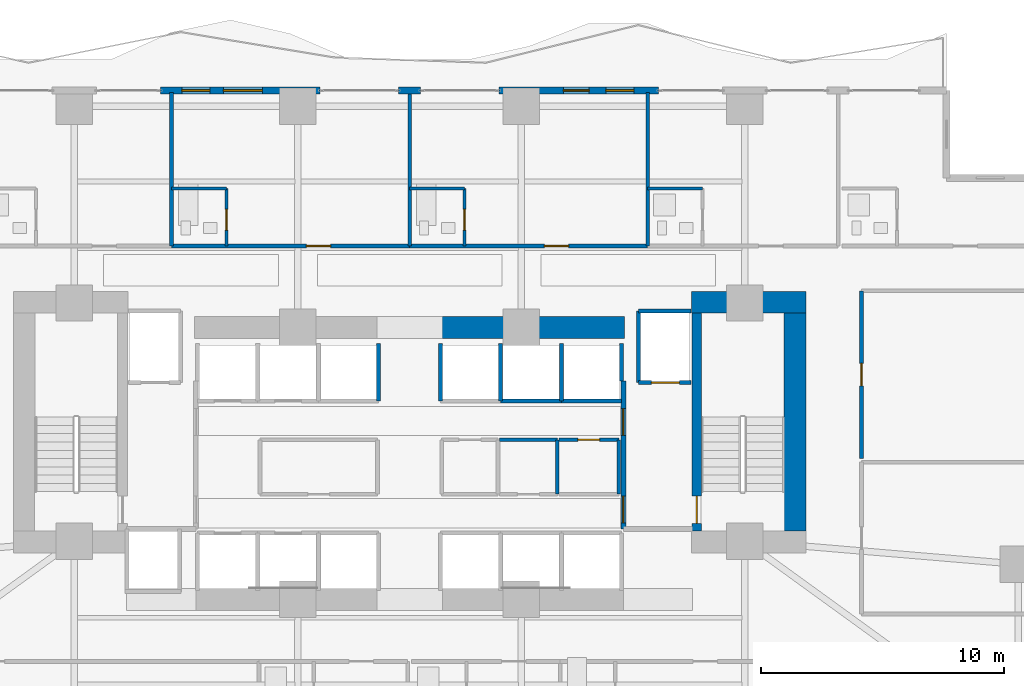
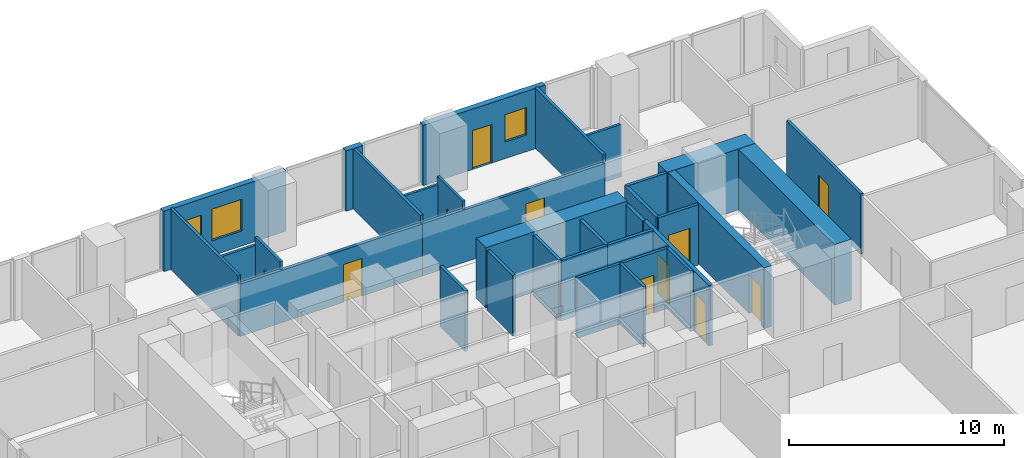
# One storey, part 22 of 30: 33 walls, 11 doors, 3 windows, 14 openings.
"""IFC4 building model written with IfcOpenShell, lengths in metres."""

from ifc_helpers import new_model, si_unit, direction, frame, frame_2d, origin, place, context, subcontext, project, spatial, rectangle, extrude, material, layer, layer_set, type_object, element, fill, save


model = new_model("IFC4")

# Units and contexts
model_context = context("Model", 3, precision=1e-05, world=origin(), true_north=direction((0.0, 1.0)))
body_context = subcontext(model_context, "Body", "Model", "MODEL_VIEW")
ifc_project = project(units=[si_unit("LENGTHUNIT", "METRE"), si_unit("AREAUNIT", "SQUARE_METRE"), si_unit("VOLUMEUNIT", "CUBIC_METRE"), si_unit("PLANEANGLEUNIT", "RADIAN"), si_unit("MASSUNIT", "GRAM", prefix="KILO")], contexts=[model_context])

# Site, building, storey
site_placement = place(None, origin())
site = spatial("IfcSite", under=ifc_project, at=site_placement, CompositionType="ELEMENT")
building_placement = place(site_placement, origin())
building = spatial("IfcBuilding", under=site, at=building_placement, Name="Zuhayl Quay Hotel", CompositionType="ELEMENT")
storey_placement = place(building_placement, frame((0.0, 0.0, 82.35009765625)))
storey = spatial("IfcBuildingStorey", under=building, at=storey_placement, Name="L20", CompositionType="ELEMENT", Elevation=82.35009765625)

# Walls
ifc_material_1 = material(Name="Concrete C70/85", Category="concrete")
ifc_layer_1 = layer(ifc_material_1, 0.89990234375, Name="Concrete C70/85", Category="concrete")
ifc_layer_set_1 = layer_set([ifc_layer_1], Name="Concrete C70/85")
wall_type_1 = type_object("IfcWallType", Name="WL_CORE_900", PredefinedType="SHEAR", material=ifc_layer_set_1)
wall_1_placement = place(storey_placement, frame((11.60009765625, 14.3798828125, 0.0), z_axis=(0.0, 0.0, 1.0), x_axis=(1.0, 0.0, 0.0)))
element("IfcWall", 1, at=wall_1_placement, inside=storey, type_object=wall_type_1, Name="L20 Core Shear Wall CW_NE", PredefinedType="SHEAR", context=body_context, shape_type="SweptSolid", body=[
    extrude(rectangle(XDim=4.7099609375, YDim=0.89990234375, at=frame_2d((2.35498046875, 0.0))), origin(), (0.0, 0.0, 1.0), 3.4599609375),
])
wall_2_placement = place(storey_placement, frame((15.860107421875, 4.969970703125, 0.0), z_axis=(0.0, 0.0, 1.0), x_axis=(0.0, 1.0, 0.0)))
element("IfcWall", 2, at=wall_2_placement, inside=storey, type_object=wall_type_1, Name="L20 Core Shear Wall CW_E", PredefinedType="SHEAR", context=body_context, shape_type="SweptSolid", body=[
    extrude(rectangle(XDim=8.9599609375, YDim=0.89990234375, at=frame_2d((4.47998046875, 0.0))), origin(), (0.0, 0.0, 1.0), 3.4599609375),
])
wall_3_placement = place(storey_placement, frame((1.25, 13.35009765625, 0.0), z_axis=(0.0, 0.0, 1.0), x_axis=(1.0, 0.0, 0.0)))
element("IfcWall", 3, at=wall_3_placement, inside=storey, type_object=wall_type_1, Name="L20 Core Shear Wall CW_NC_E", PredefinedType="SHEAR", context=body_context, shape_type="SweptSolid", body=[
    extrude(rectangle(XDim=7.60009765625, YDim=0.89990234375, at=frame_2d((3.800048828125, 0.0))), origin(), (0.0, 0.0, 1.0), 3.429931640625),
])

# Wall, openings, windows
ifc_material_2 = material(Name="Precast concrete C45/55", Category="concrete")
ifc_layer_2 = layer(ifc_material_2, 0.300048828125, Name="Precast concrete C45/55", Category="concrete")
ifc_layer_set_2 = layer_set([ifc_layer_2], Name="Precast concrete C45/55")
wall_type_2 = type_object("IfcWallType", Name="WL_EXT_300", PredefinedType="STANDARD", material=ifc_layer_set_2)
wall_4_placement = place(storey_placement, frame((-10.25, 23.10009765625, 0.0), z_axis=(0.0, 0.0, 1.0), x_axis=(1.0, 0.0, 0.0)))
wall_4 = element("IfcWall", 4, at=wall_4_placement, inside=storey, type_object=wall_type_2, Name="L20 Exterior Precast Wall ENV_L20_N_EW4", PredefinedType="STANDARD", context=body_context, shape_type="SweptSolid", body=[
    extrude(rectangle(XDim=6.570068359375, YDim=0.300048828125, at=frame_2d((3.28515625, 0.0))), origin(), (0.0, 0.0, 1.0), 3.429931640625),
])
opening_1_placement = place(wall_4_placement, frame((2.590087890625, 0.0, 0.85009765625)))
opening_1 = element("IfcOpeningElement", 5, at=opening_1_placement, cuts=wall_4, Name="Opening W01", PredefinedType="OPENING", context=body_context, shape_type="SweptSolid", body=[
    extrude(rectangle(XDim=1.60009765625, YDim=1.800048828125, at=frame_2d((0.800048828125, 0.89990234375))), frame((0.0, 0.159912109375, 0.0), z_axis=(0.0, -1.0, 0.0), x_axis=(1.0, 0.0, 0.0)), (0.0, 0.0, 1.0), 0.320068359375),
])
opening_2_placement = place(wall_4_placement, frame((0.8798828125, 0.0, 0.949951171875)))
opening_2 = element("IfcOpeningElement", 6, at=opening_2_placement, cuts=wall_4, Name="Opening W01N", PredefinedType="OPENING", context=body_context, shape_type="SweptSolid", body=[
    extrude(rectangle(XDim=1.14990234375, YDim=1.550048828125, at=frame_2d((0.574951171875, 0.77490234375))), frame((0.0, 0.159912109375, 0.0), z_axis=(0.0, -1.0, 0.0), x_axis=(1.0, 0.0, 0.0)), (0.0, 0.0, 1.0), 0.320068359375),
])
ifc_material_3 = material(Name="Dark Ceramic-Fritted Solar Glass", Category="glass")
window_type_1 = type_object("IfcWindowType", Name="WN_NOTCH_1350", PartitioningType="SINGLE_PANEL", PredefinedType="WINDOW", material=ifc_material_3)
window_1_placement = place(opening_2_placement, origin())
window_1 = element("IfcWindow", 7, at=window_1_placement, inside=storey, type_object=window_type_1, Name="L20 Operable Facade Window 4-1", OverallHeight=1.550048828125, OverallWidth=1.14990234375, PartitioningType="SINGLE_PANEL", PredefinedType="WINDOW", context=body_context, shape_type="SweptSolid", body=[
    extrude(rectangle(XDim=1.14990234375, YDim=1.550048828125, at=frame_2d((0.574951171875, 0.77490234375))), frame((0.0, 0.030029296875, 0.0), z_axis=(0.0, -1.0, 0.0), x_axis=(1.0, 0.0, 0.0)), (0.0, 0.0, 1.0), 0.06005859375),
])
fill(opening_2, window_1)
window_type_2 = type_object("IfcWindowType", Name="WN_OPERABLE_1600", PartitioningType="DOUBLE_PANEL_VERTICAL", PredefinedType="WINDOW", material=ifc_material_3)
window_2_placement = place(opening_1_placement, origin())
window_2 = element("IfcWindow", 8, at=window_2_placement, inside=storey, type_object=window_type_2, Name="L20 North Operable Casement Window", OverallHeight=1.800048828125, OverallWidth=1.60009765625, PartitioningType="SINGLE_PANEL", PredefinedType="WINDOW", context=body_context, shape_type="SweptSolid", body=[
    extrude(rectangle(XDim=1.60009765625, YDim=1.800048828125, at=frame_2d((0.800048828125, 0.89990234375))), frame((0.0, 0.030029296875, 0.0), z_axis=(0.0, -1.0, 0.0), x_axis=(1.0, 0.0, 0.0)), (0.0, 0.0, 1.0), 0.06005859375),
])
fill(opening_1, window_2)

# Wall
wall_5_placement = place(storey_placement, frame((-0.449951171875, 23.10009765625, 0.0), z_axis=(0.0, 0.0, 1.0), x_axis=(1.0, 0.0, 0.0)))
element("IfcWall", 9, at=wall_5_placement, inside=storey, type_object=wall_type_2, Name="L20 Exterior Precast Wall ENV_L20_N_EW5", PredefinedType="STANDARD", context=body_context, shape_type="SweptSolid", body=[
    extrude(rectangle(XDim=0.89990234375, YDim=0.300048828125, at=frame_2d((0.449951171875, 0.0))), origin(), (0.0, 0.0, 1.0), 3.429931640625),
])

# Wall, openings, door, window
wall_6_placement = place(storey_placement, frame((3.679931640625, 23.10009765625, 0.0), z_axis=(0.0, 0.0, 1.0), x_axis=(1.0, 0.0, 0.0)))
wall_6 = element("IfcWall", 10, at=wall_6_placement, inside=storey, type_object=wall_type_2, Name="L20 Exterior Precast Wall ENV_L20_N_EW6", PredefinedType="STANDARD", context=body_context, shape_type="SweptSolid", body=[
    extrude(rectangle(XDim=6.570068359375, YDim=0.300048828125, at=frame_2d((3.28515625, 0.0))), origin(), (0.0, 0.0, 1.0), 3.429931640625),
])
opening_3_placement = place(wall_6_placement, frame((2.655029296875, 0.0, 0.0)))
opening_3 = element("IfcOpeningElement", 11, at=opening_3_placement, cuts=wall_6, Name="Opening DG1", PredefinedType="OPENING", context=body_context, shape_type="SweptSolid", body=[
    extrude(rectangle(XDim=1.050048828125, YDim=2.199951171875, at=frame_2d((0.52490234375, 1.10009765625))), frame((0.0, 0.159912109375, 0.0), z_axis=(0.0, -1.0, 0.0), x_axis=(1.0, 0.0, 0.0)), (0.0, 0.0, 1.0), 0.320068359375),
])
opening_4_placement = place(wall_6_placement, frame((4.402587890625, 0.0, 0.949951171875)))
opening_4 = element("IfcOpeningElement", 12, at=opening_4_placement, cuts=wall_6, Name="Opening W01N", PredefinedType="OPENING", context=body_context, shape_type="SweptSolid", body=[
    extrude(rectangle(XDim=1.14990234375, YDim=1.550048828125, at=frame_2d((0.574951171875, 0.77490234375))), frame((0.0, 0.159912109375, 0.0), z_axis=(0.0, -1.0, 0.0), x_axis=(1.0, 0.0, 0.0)), (0.0, 0.0, 1.0), 0.320068359375),
])
ifc_material_4 = material(Name="Anodised Aluminium and Dark Solar Glass", Category="aluminium")
door_type_1 = type_object("IfcDoorType", Name="DR_EXT_TERR_1050", OperationType="NOTDEFINED", PredefinedType="DOOR", material=ifc_material_4)
door_1_placement = place(opening_3_placement, origin())
door_1 = element("IfcDoor", 13, at=door_1_placement, inside=storey, type_object=door_type_1, Name="L20 North Rippling Balcony Door", OperationType="SINGLE_SWING_LEFT", OverallHeight=2.199951171875, OverallWidth=1.050048828125, PredefinedType="DOOR", context=body_context, shape_type="SweptSolid", body=[
    extrude(rectangle(XDim=1.050048828125, YDim=2.199951171875, at=frame_2d((0.52490234375, 1.10009765625))), frame((0.0, 0.02490234375, 0.0), z_axis=(0.0, -1.0, 0.0), x_axis=(1.0, 0.0, 0.0)), (0.0, 0.0, 1.0), 0.050048828125),
])
fill(opening_3, door_1)
window_3_placement = place(opening_4_placement, origin())
window_3 = element("IfcWindow", 14, at=window_3_placement, inside=storey, type_object=window_type_1, Name="L20 Operable Facade Window 6-1", OverallHeight=1.550048828125, OverallWidth=1.14990234375, PartitioningType="SINGLE_PANEL", PredefinedType="WINDOW", context=body_context, shape_type="SweptSolid", body=[
    extrude(rectangle(XDim=1.14990234375, YDim=1.550048828125, at=frame_2d((0.574951171875, 0.77490234375))), frame((0.0, 0.030029296875, 0.0), z_axis=(0.0, -1.0, 0.0), x_axis=(1.0, 0.0, 0.0)), (0.0, 0.0, 1.0), 0.06005859375),
])
fill(opening_4, window_3)

# Wall, opening, door
ifc_material_5 = material(Name="Acoustic Gypsum Partition STC-58")
ifc_layer_3 = layer(ifc_material_5, 0.14990234375, Name="Acoustic Gypsum Partition STC-58")
ifc_layer_set_3 = layer_set([ifc_layer_3], Name="Acoustic Gypsum Partition STC-58")
wall_type_3 = type_object("IfcWallType", Name="WL_PART_150", PredefinedType="PARTITIONING", material=ifc_layer_set_3)
wall_7_placement = place(storey_placement, frame((6.139892578125, 8.719970703125, 0.0), z_axis=(0.0, 0.0, 1.0), x_axis=(1.0, 0.0, 0.0)))
wall_7 = element("IfcWall", 15, at=wall_7_placement, inside=storey, type_object=wall_type_3, Name="L20 Partition IW_L20_CORE_E3_N", PredefinedType="PARTITIONING", context=body_context, shape_type="SweptSolid", body=[
    extrude(rectangle(XDim=2.47021484375, YDim=0.14990234375, at=frame_2d((1.235107421875, 0.0))), origin(), (0.0, 0.0, 1.0), 3.429931640625),
])
opening_5_placement = place(wall_7_placement, frame((0.784912109375, 0.0, 0.0)))
opening_5 = element("IfcOpeningElement", 16, at=opening_5_placement, cuts=wall_7, Name="Opening D06", PredefinedType="OPENING", context=body_context, shape_type="SweptSolid", body=[
    extrude(rectangle(XDim=0.89990234375, YDim=2.14990234375, at=frame_2d((0.449951171875, 1.074951171875))), frame((0.0, 0.0849609375, 0.0), z_axis=(0.0, -1.0, 0.0), x_axis=(1.0, 0.0, 0.0)), (0.0, 0.0, 1.0), 0.169921875),
])
ifc_material_6 = material(Name="Steel ASTM A992 Grade 50", Category="steel")
door_type_2 = type_object("IfcDoorType", Name="DR_INT_900", OperationType="NOTDEFINED", PredefinedType="DOOR", material=ifc_material_6)
door_2_placement = place(opening_5_placement, origin())
door_2 = element("IfcDoor", 17, at=door_2_placement, inside=storey, type_object=door_type_2, Name="L20 Janitor and Cleaners Store Door", OperationType="SINGLE_SWING_RIGHT", OverallHeight=2.14990234375, OverallWidth=0.89990234375, PredefinedType="DOOR", context=body_context, shape_type="SweptSolid", body=[
    extrude(rectangle(XDim=0.89990234375, YDim=2.14990234375, at=frame_2d((0.449951171875, 1.074951171875))), frame((0.0, 0.02490234375, 0.0), z_axis=(0.0, -1.0, 0.0), x_axis=(1.0, 0.0, 0.0)), (0.0, 0.0, 1.0), 0.050048828125),
])
fill(opening_5, door_2)

# Walls
wall_8_placement = place(storey_placement, frame((3.699951171875, 8.719970703125, 0.0), z_axis=(0.0, 0.0, 1.0), x_axis=(1.0, 0.0, 0.0)))
element("IfcWall", 18, at=wall_8_placement, inside=storey, type_object=wall_type_3, Name="L20 Partition IW_L20_CORE_E2_N", PredefinedType="PARTITIONING", context=body_context, shape_type="SweptSolid", body=[
    extrude(rectangle(XDim=2.380126953125, YDim=0.14990234375, at=frame_2d((1.18994140625, 0.0))), origin(), (0.0, 0.0, 1.0), 3.429931640625),
])
for number, where, z_axis, x_axis, name in (
    (19, (6.080078125, 6.47998046875, 0.0), (0.0, 0.0, 1.0), (0.0, 1.0, 0.0), "L20 Partition IW_L20_CORE_E2_E"),
    (20, (8.610107421875, 6.47998046875, 0.0), (0.0, 0.0, 1.0), (0.0, 1.0, 0.0), "L20 Partition IW_L20_CORE_E3_E"),
):
    element("IfcWall", number, at=place(storey_placement, frame(where, z_axis=z_axis, x_axis=x_axis)), inside=storey, type_object=wall_type_3, Name=name, PredefinedType="PARTITIONING", context=body_context, shape_type="SweptSolid", body=[
        extrude(rectangle(XDim=2.239990234375, YDim=0.14990234375, at=frame_2d((1.1201171875, 0.0))), origin(), (0.0, 0.0, 1.0), 3.429931640625),
    ])
for number, where, z_axis, x_axis, name in (
    (21, (-9.800048828125, 16.699951171875, 0.0), (0.0, 0.0, 1.0), (0.0, 1.0, 0.0), "L20 Partition IW_L20_NU01B_E"),
    (22, (0.0, 16.699951171875, 0.0), (0.0, 0.0, 1.0), (0.0, 1.0, 0.0), "L20 Partition IW_L20_NU02_E"),
    (23, (9.800048828125, 16.699951171875, 0.0), (0.0, 0.0, 1.0), (0.0, 1.0, 0.0), "L20 Partition IW_L20_NU03_E"),
):
    element("IfcWall", number, at=place(storey_placement, frame(where, z_axis=z_axis, x_axis=x_axis)), inside=storey, type_object=wall_type_3, Name=name, PredefinedType="PARTITIONING", context=body_context, shape_type="SweptSolid", body=[
        extrude(rectangle(XDim=6.320068359375, YDim=0.14990234375, at=frame_2d((3.16015625, 0.0))), origin(), (0.0, 0.0, 1.0), 3.429931640625),
    ])

# Wall, opening, door
ifc_layer_4 = layer(ifc_material_5, 0.159912109375, Name="Acoustic Gypsum Partition STC-58")
ifc_layer_set_4 = layer_set([ifc_layer_4], Name="Acoustic Gypsum Partition STC-58")
wall_type_4 = type_object("IfcWallType", Name="WL_PART_CORR_160", PredefinedType="PARTITIONING", material=ifc_layer_set_4)
wall_9_placement = place(storey_placement, frame((-9.800048828125, 16.699951171875, 0.0), z_axis=(0.0, 0.0, 1.0), x_axis=(1.0, 0.0, 0.0)))
wall_9 = element("IfcWall", 24, at=wall_9_placement, inside=storey, type_object=wall_type_4, Name="L20 Partition IW_L20_NU02_COR", PredefinedType="PARTITIONING", context=body_context, shape_type="SweptSolid", body=[
    extrude(rectangle(XDim=9.800048828125, YDim=0.159912109375, at=frame_2d((4.89990234375, 0.0))), origin(), (0.0, 0.0, 1.0), 2.972900390625),
])
opening_6_placement = place(wall_9_placement, frame((5.550048828125, 0.0, 0.0)))
opening_6 = element("IfcOpeningElement", 25, at=opening_6_placement, cuts=wall_9, Name="Opening D03L", PredefinedType="OPENING", context=body_context, shape_type="SweptSolid", body=[
    extrude(rectangle(XDim=1.0, YDim=2.14990234375, at=frame_2d((0.5, 1.074951171875))), frame((0.0, 0.08984375, 0.0), z_axis=(0.0, -1.0, 0.0), x_axis=(1.0, 0.0, 0.0)), (0.0, 0.0, 1.0), 0.179931640625),
])
ifc_material_7 = material(Name="Solid Walnut Acoustic Fire Door")
door_type_3 = type_object("IfcDoorType", Name="DR_SUITE_1000", OperationType="NOTDEFINED", PredefinedType="DOOR", material=ifc_material_7)
door_3_placement = place(opening_6_placement, origin())
door_3 = element("IfcDoor", 26, at=door_3_placement, inside=storey, type_object=door_type_3, Name="L20 Deluxe Gulf Guest Room L20-02 Entrance Door", OperationType="SINGLE_SWING_RIGHT", OverallHeight=2.14990234375, OverallWidth=1.0, PredefinedType="DOOR", context=body_context, shape_type="SweptSolid", body=[
    extrude(rectangle(XDim=1.0, YDim=2.14990234375, at=frame_2d((0.5, 1.074951171875))), frame((0.0, 0.02490234375, 0.0), z_axis=(0.0, -1.0, 0.0), x_axis=(1.0, 0.0, 0.0)), (0.0, 0.0, 1.0), 0.050048828125),
])
fill(opening_6, door_3)

wall_10_placement = place(storey_placement, frame((0.0, 16.699951171875, 0.0), z_axis=(0.0, 0.0, 1.0), x_axis=(1.0, 0.0, 0.0)))
wall_10 = element("IfcWall", 27, at=wall_10_placement, inside=storey, type_object=wall_type_4, Name="L20 Partition IW_L20_NU03_COR", PredefinedType="PARTITIONING", context=body_context, shape_type="SweptSolid", body=[
    extrude(rectangle(XDim=9.800048828125, YDim=0.159912109375, at=frame_2d((4.89990234375, 0.0))), origin(), (0.0, 0.0, 1.0), 2.972900390625),
])
opening_7_placement = place(wall_10_placement, frame((5.550048828125, 0.0, 0.0)))
opening_7 = element("IfcOpeningElement", 28, at=opening_7_placement, cuts=wall_10, Name="Opening D03L", PredefinedType="OPENING", context=body_context, shape_type="SweptSolid", body=[
    extrude(rectangle(XDim=1.0, YDim=2.14990234375, at=frame_2d((0.5, 1.074951171875))), frame((0.0, 0.08984375, 0.0), z_axis=(0.0, -1.0, 0.0), x_axis=(1.0, 0.0, 0.0)), (0.0, 0.0, 1.0), 0.179931640625),
])
door_4_placement = place(opening_7_placement, origin())
door_4 = element("IfcDoor", 29, at=door_4_placement, inside=storey, type_object=door_type_3, Name="L20 Deluxe Gulf Guest Room L20-03 Entrance Door", OperationType="SINGLE_SWING_RIGHT", OverallHeight=2.14990234375, OverallWidth=1.0, PredefinedType="DOOR", context=body_context, shape_type="SweptSolid", body=[
    extrude(rectangle(XDim=1.0, YDim=2.14990234375, at=frame_2d((0.5, 1.074951171875))), frame((0.0, 0.02490234375, 0.0), z_axis=(0.0, -1.0, 0.0), x_axis=(1.0, 0.0, 0.0)), (0.0, 0.0, 1.0), 0.050048828125),
])
fill(opening_7, door_4)

wall_11_placement = place(storey_placement, frame((18.60009765625, 7.9599609375, 0.0), z_axis=(0.0, 0.0, 1.0), x_axis=(0.0, 1.0, 0.0)))
wall_11 = element("IfcWall", 30, at=wall_11_placement, inside=storey, type_object=wall_type_4, Name="L20 Partition IW_L20_EFLK_2_W", PredefinedType="PARTITIONING", context=body_context, shape_type="SweptSolid", body=[
    extrude(rectangle(XDim=6.89013671875, YDim=0.159912109375, at=frame_2d((3.445068359375, 0.0))), origin(), (0.0, 0.0, 1.0), 3.429931640625),
])
opening_8_placement = place(wall_11_placement, frame((2.985107421875, 0.0, 0.0)))
opening_8 = element("IfcOpeningElement", 31, at=opening_8_placement, cuts=wall_11, Name="Opening D05", PredefinedType="OPENING", context=body_context, shape_type="SweptSolid", body=[
    extrude(rectangle(XDim=0.919921875, YDim=2.1201171875, at=frame_2d((0.4599609375, 1.06005859375))), frame((0.0, 0.08984375, 0.0), z_axis=(0.0, -1.0, 0.0), x_axis=(1.0, 0.0, 0.0)), (0.0, 0.0, 1.0), 0.179931640625),
])
door_type_4 = type_object("IfcDoorType", Name="DR_INT_950", OperationType="NOTDEFINED", PredefinedType="DOOR", material=ifc_material_7)
door_5_placement = place(opening_8_placement, origin())
door_5 = element("IfcDoor", 32, at=door_5_placement, inside=storey, type_object=door_type_4, Name="L20 Floor Beverage and Ice Pantry Door", OperationType="SINGLE_SWING_LEFT", OverallHeight=2.1201171875, OverallWidth=0.919921875, PredefinedType="DOOR", context=body_context, shape_type="SweptSolid", body=[
    extrude(rectangle(XDim=0.919921875, YDim=2.1201171875, at=frame_2d((0.4599609375, 1.06005859375))), frame((0.0, 0.02490234375, 0.0), z_axis=(0.0, -1.0, 0.0), x_axis=(1.0, 0.0, 0.0)), (0.0, 0.0, 1.0), 0.050048828125),
])
fill(opening_8, door_5)

ifc_material_8 = material(Name="Moisture-Resistant Sanitarychase Gypsum")
ifc_layer_5 = layer(ifc_material_8, 0.135009765625, Name="Moisture-Resistant Sanitarychase Gypsum")
ifc_layer_set_5 = layer_set([ifc_layer_5], Name="Moisture-Resistant Sanitarychase Gypsum")
wall_type_5 = type_object("IfcWallType", Name="WL_PART_PLUMB_150", PredefinedType="PLUMBINGWALL", material=ifc_layer_set_5)
wall_12_placement = place(storey_placement, frame((-7.5400390625, 16.699951171875, 0.0), z_axis=(0.0, 0.0, 1.0), x_axis=(0.0, 1.0, 0.0)))
wall_12 = element("IfcWall", 33, at=wall_12_placement, inside=storey, type_object=wall_type_5, Name="L20 Partition IW_L20_NU02_BE", PredefinedType="PLUMBINGWALL", context=body_context, shape_type="SweptSolid", body=[
    extrude(rectangle(XDim=2.360107421875, YDim=0.135009765625, at=frame_2d((1.18017578125, 0.0))), origin(), (0.0, 0.0, 1.0), 3.429931640625),
])
opening_9_placement = place(wall_12_placement, frame((0.64990234375, 0.0, 0.0)))
opening_9 = element("IfcOpeningElement", 34, at=opening_9_placement, cuts=wall_12, Name="Opening D04", PredefinedType="OPENING", context=body_context, shape_type="SweptSolid", body=[
    extrude(rectangle(XDim=0.85009765625, YDim=2.10009765625, at=frame_2d((0.425048828125, 1.050048828125))), frame((0.0, 0.077392578125, 0.0), z_axis=(0.0, -1.0, 0.0), x_axis=(1.0, 0.0, 0.0)), (0.0, 0.0, 1.0), 0.155029296875),
])
ifc_material_9 = material(Name="Moisture-Resistant Walnut Veneer")
door_type_5 = type_object("IfcDoorType", Name="DR_BATH_850", OperationType="NOTDEFINED", PredefinedType="DOOR", material=ifc_material_9)
door_6_placement = place(opening_9_placement, origin())
door_6 = element("IfcDoor", 35, at=door_6_placement, inside=storey, type_object=door_type_5, Name="L20 Deluxe Gulf Guest Room L20-02 En-Suite Door", OperationType="SINGLE_SWING_LEFT", OverallHeight=2.10009765625, OverallWidth=0.85009765625, PredefinedType="DOOR", context=body_context, shape_type="SweptSolid", body=[
    extrude(rectangle(XDim=0.85009765625, YDim=2.10009765625, at=frame_2d((0.425048828125, 1.050048828125))), frame((0.0, 0.02490234375, 0.0), z_axis=(0.0, -1.0, 0.0), x_axis=(1.0, 0.0, 0.0)), (0.0, 0.0, 1.0), 0.050048828125),
])
fill(opening_9, door_6)

wall_13_placement = place(storey_placement, frame((2.260009765625, 16.699951171875, 0.0), z_axis=(0.0, 0.0, 1.0), x_axis=(0.0, 1.0, 0.0)))
wall_13 = element("IfcWall", 36, at=wall_13_placement, inside=storey, type_object=wall_type_5, Name="L20 Partition IW_L20_NU03_BE", PredefinedType="PLUMBINGWALL", context=body_context, shape_type="SweptSolid", body=[
    extrude(rectangle(XDim=2.360107421875, YDim=0.135009765625, at=frame_2d((1.18017578125, 0.0))), origin(), (0.0, 0.0, 1.0), 3.429931640625),
])
opening_10_placement = place(wall_13_placement, frame((0.64990234375, 0.0, 0.0)))
opening_10 = element("IfcOpeningElement", 37, at=opening_10_placement, cuts=wall_13, Name="Opening D04", PredefinedType="OPENING", context=body_context, shape_type="SweptSolid", body=[
    extrude(rectangle(XDim=0.85009765625, YDim=2.10009765625, at=frame_2d((0.425048828125, 1.050048828125))), frame((0.0, 0.077392578125, 0.0), z_axis=(0.0, -1.0, 0.0), x_axis=(1.0, 0.0, 0.0)), (0.0, 0.0, 1.0), 0.155029296875),
])
door_7_placement = place(opening_10_placement, origin())
door_7 = element("IfcDoor", 38, at=door_7_placement, inside=storey, type_object=door_type_5, Name="L20 Deluxe Gulf Guest Room L20-03 En-Suite Door", OperationType="SINGLE_SWING_LEFT", OverallHeight=2.10009765625, OverallWidth=0.85009765625, PredefinedType="DOOR", context=body_context, shape_type="SweptSolid", body=[
    extrude(rectangle(XDim=0.85009765625, YDim=2.10009765625, at=frame_2d((0.425048828125, 1.050048828125))), frame((0.0, 0.02490234375, 0.0), z_axis=(0.0, -1.0, 0.0), x_axis=(1.0, 0.0, 0.0)), (0.0, 0.0, 1.0), 0.050048828125),
])
fill(opening_10, door_7)

# Walls
for number, where, z_axis, x_axis, name in (
    (39, (-9.800048828125, 19.06005859375, 0.0), (0.0, 0.0, 1.0), (1.0, 0.0, 0.0), "L20 Partition IW_L20_NU02_BN"),
    (40, (0.0, 19.06005859375, 0.0), (0.0, 0.0, 1.0), (1.0, 0.0, 0.0), "L20 Partition IW_L20_NU03_BN"),
    (41, (9.800048828125, 19.06005859375, 0.0), (0.0, 0.0, 1.0), (1.0, 0.0, 0.0), "L20 Partition IW_L20_NU04A_BN"),
):
    element("IfcWall", number, at=place(storey_placement, frame(where, z_axis=z_axis, x_axis=x_axis)), inside=storey, type_object=wall_type_5, Name=name, PredefinedType="PLUMBINGWALL", context=body_context, shape_type="SweptSolid", body=[
        extrude(rectangle(XDim=2.260009765625, YDim=0.135009765625, at=frame_2d((1.1298828125, 0.0))), origin(), (0.0, 0.0, 1.0), 2.972900390625),
    ])

# Wall, opening, door
ifc_material_10 = material(Name="Gypsum Fireboard Assembly EI-90")
ifc_layer_6 = layer(ifc_material_10, 0.1650390625, Name="Gypsum Fireboard Assembly EI-90")
ifc_layer_set_6 = layer_set([ifc_layer_6], Name="Gypsum Fireboard Assembly EI-90")
wall_type_6 = type_object("IfcWallType", Name="WL_PART_SHAFT_160", PredefinedType="PARTITIONING", material=ifc_layer_set_6)
wall_14_placement = place(storey_placement, frame((9.419921875, 11.070068359375, 0.0), z_axis=(0.0, 0.0, 1.0), x_axis=(1.0, 0.0, 0.0)))
wall_14 = element("IfcWall", 42, at=wall_14_placement, inside=storey, type_object=wall_type_6, Name="L20 Partition IW_L20_SH_FL2_F", PredefinedType="PARTITIONING", context=body_context, shape_type="SweptSolid", body=[
    extrude(rectangle(XDim=2.16015625, YDim=0.1650390625, at=frame_2d((1.080078125, 0.0))), origin(), (0.0, 0.0, 1.0), 3.429931640625),
])
opening_11_placement = place(wall_14_placement, frame((0.530029296875, 0.0, 0.0)))
opening_11 = element("IfcOpeningElement", 43, at=opening_11_placement, cuts=wall_14, Name="Opening LD2", PredefinedType="OPENING", context=body_context, shape_type="SweptSolid", body=[
    extrude(rectangle(XDim=1.14990234375, YDim=2.25, at=frame_2d((0.574951171875, 1.125))), frame((0.0, 0.092529296875, 0.0), z_axis=(0.0, -1.0, 0.0), x_axis=(1.0, 0.0, 0.0)), (0.0, 0.0, 1.0), 0.18505859375),
])
ifc_material_11 = material(Name="Brushed Stainless Steel", Category="steel")
door_type_6 = type_object("IfcDoorType", Name="DR_LIFT_FF_1100", OperationType="SLIDING_TO_LEFT", PredefinedType="DOOR", material=ifc_material_11)
door_8_placement = place(opening_11_placement, origin())
door_8 = element("IfcDoor", 44, at=door_8_placement, inside=storey, type_object=door_type_6, Name="L20 Lift FL2 Sliding Landing Door", OperationType="SLIDING_TO_LEFT", OverallHeight=2.25, OverallWidth=1.14990234375, PredefinedType="DOOR", context=body_context, shape_type="SweptSolid", body=[
    extrude(rectangle(XDim=1.14990234375, YDim=2.25, at=frame_2d((0.574951171875, 1.125))), frame((0.0, 0.02490234375, 0.0), z_axis=(0.0, -1.0, 0.0), x_axis=(1.0, 0.0, 0.0)), (0.0, 0.0, 1.0), 0.050048828125),
])
fill(opening_11, door_8)

# Walls
wall_15_placement = place(storey_placement, frame((9.419921875, 11.070068359375, 0.0), z_axis=(0.0, 0.0, 1.0), x_axis=(0.0, 1.0, 0.0)))
element("IfcWall", 45, at=wall_15_placement, inside=storey, type_object=wall_type_6, Name="L20 Partition IW_L20_SH_FL2_W", PredefinedType="PARTITIONING", context=body_context, shape_type="SweptSolid", body=[
    extrude(rectangle(XDim=2.9599609375, YDim=0.1650390625, at=frame_2d((1.47998046875, 0.0))), origin(), (0.0, 0.0, 1.0), 3.429931640625),
])
wall_16_placement = place(storey_placement, frame((9.419921875, 14.030029296875, 0.0), z_axis=(0.0, 0.0, 1.0), x_axis=(1.0, 0.0, 0.0)))
element("IfcWall", 46, at=wall_16_placement, inside=storey, type_object=wall_type_6, Name="L20 Partition IW_L20_SH_FL2_B", PredefinedType="PARTITIONING", context=body_context, shape_type="SweptSolid", body=[
    extrude(rectangle(XDim=2.16015625, YDim=0.1650390625, at=frame_2d((1.080078125, 0.0))), origin(), (0.0, 0.0, 1.0), 3.429931640625),
])
for number, where, z_axis, x_axis, name in (
    (47, (-1.27001953125, 10.320068359375, 0.0), (0.0, 0.0, 1.0), (0.0, 1.0, 0.0), "L20 Partition IW_L20_SH_MP3_E"),
    (48, (1.27001953125, 10.320068359375, 0.0), (0.0, 0.0, 1.0), (0.0, 1.0, 0.0), "L20 Partition IW_L20_SH_MP4_W"),
    (49, (3.75, 10.320068359375, 0.0), (0.0, 0.0, 1.0), (0.0, 1.0, 0.0), "L20 Partition IW_L20_SH_MP4_E"),
):
    element("IfcWall", number, at=place(storey_placement, frame(where, z_axis=z_axis, x_axis=x_axis)), inside=storey, type_object=wall_type_6, Name=name, PredefinedType="PARTITIONING", context=body_context, shape_type="SweptSolid", body=[
        extrude(rectangle(XDim=2.35986328125, YDim=0.1650390625, at=frame_2d((1.179931640625, 0.0))), origin(), (0.0, 0.0, 1.0), 3.429931640625),
    ])
wall_17_placement = place(storey_placement, frame((3.75, 10.320068359375, 0.0), z_axis=(0.0, 0.0, 1.0), x_axis=(1.0, 0.0, 0.0)))
element("IfcWall", 50, at=wall_17_placement, inside=storey, type_object=wall_type_6, Name="L20 Partition IW_L20_SH_HP3_F", PredefinedType="PARTITIONING", context=body_context, shape_type="SweptSolid", body=[
    extrude(rectangle(XDim=2.5, YDim=0.1650390625, at=frame_2d((1.25, 0.0))), origin(), (0.0, 0.0, 1.0), 3.429931640625),
])
wall_18_placement = place(storey_placement, frame((6.25, 10.320068359375, 0.0), z_axis=(0.0, 0.0, 1.0), x_axis=(0.0, 1.0, 0.0)))
element("IfcWall", 51, at=wall_18_placement, inside=storey, type_object=wall_type_6, Name="L20 Partition IW_L20_SH_HP3_E", PredefinedType="PARTITIONING", context=body_context, shape_type="SweptSolid", body=[
    extrude(rectangle(XDim=2.35986328125, YDim=0.1650390625, at=frame_2d((1.179931640625, 0.0))), origin(), (0.0, 0.0, 1.0), 3.429931640625),
])
wall_19_placement = place(storey_placement, frame((6.25, 10.320068359375, 0.0), z_axis=(0.0, 0.0, 1.0), x_axis=(1.0, 0.0, 0.0)))
element("IfcWall", 52, at=wall_19_placement, inside=storey, type_object=wall_type_6, Name="L20 Partition IW_L20_SH_HP4_F", PredefinedType="PARTITIONING", context=body_context, shape_type="SweptSolid", body=[
    extrude(rectangle(XDim=2.47998046875, YDim=0.1650390625, at=frame_2d((1.239990234375, 0.0))), origin(), (0.0, 0.0, 1.0), 3.429931640625),
])
wall_20_placement = place(storey_placement, frame((8.72998046875, 11.14990234375, 0.0), z_axis=(0.0, 0.0, 1.0), x_axis=(0.0, 1.0, 0.0)))
element("IfcWall", 53, at=wall_20_placement, inside=storey, type_object=wall_type_6, Name="L20 Partition IW_L20_SH_HP4_E", PredefinedType="PARTITIONING", context=body_context, shape_type="SweptSolid", body=[
    extrude(rectangle(XDim=1.530029296875, YDim=0.1650390625, at=frame_2d((0.76513671875, 0.0))), origin(), (0.0, 0.0, 1.0), 3.429931640625),
])

# Wall, openings, doors
ifc_material_12 = material(Name="Gypsum Fireboard Assembly EI-120")
ifc_layer_7 = layer(ifc_material_12, 0.199951171875, Name="Gypsum Fireboard Assembly EI-120")
ifc_layer_set_7 = layer_set([ifc_layer_7], Name="Gypsum Fireboard Assembly EI-120")
wall_type_7 = type_object("IfcWallType", Name="WL_PART_SHAFT_200", PredefinedType="PARTITIONING", material=ifc_layer_set_7)
wall_21_placement = place(storey_placement, frame((8.800048828125, 11.14990234375, 0.0), z_axis=(0.0, 0.0, 1.0), x_axis=(0.0, -1.0, 0.0)))
wall_21 = element("IfcWall", 54, at=wall_21_placement, inside=storey, type_object=wall_type_7, Name="L20 Partition IW_L20_FSAE_E_W", PredefinedType="PARTITIONING", context=body_context, shape_type="SweptSolid", body=[
    extrude(rectangle(XDim=6.099853515625, YDim=0.199951171875, at=frame_2d((3.0498046875, 0.0))), origin(), (0.0, 0.0, 1.0), 3.429931640625),
])
opening_12_placement = place(wall_21_placement, frame((1.14990234375, 0.0, 0.0)))
opening_12 = element("IfcOpeningElement", 55, at=opening_12_placement, cuts=wall_21, Name="Opening D02", PredefinedType="OPENING", context=body_context, shape_type="SweptSolid", body=[
    extrude(rectangle(XDim=1.10009765625, YDim=2.199951171875, at=frame_2d((0.550048828125, 1.10009765625))), frame((0.0, 0.10986328125, 0.0), z_axis=(0.0, -1.0, 0.0), x_axis=(1.0, 0.0, 0.0)), (0.0, 0.0, 1.0), 0.219970703125),
])
opening_13_placement = place(wall_21_placement, frame((4.75, 0.0, 0.0)))
opening_13 = element("IfcOpeningElement", 56, at=opening_13_placement, cuts=wall_21, Name="Opening D02", PredefinedType="OPENING", context=body_context, shape_type="SweptSolid", body=[
    extrude(rectangle(XDim=1.10009765625, YDim=2.199951171875, at=frame_2d((0.550048828125, 1.10009765625))), frame((0.0, 0.10986328125, 0.0), z_axis=(0.0, -1.0, 0.0), x_axis=(1.0, 0.0, 0.0)), (0.0, 0.0, 1.0), 0.219970703125),
])
door_type_7 = type_object("IfcDoorType", Name="DR_FIRE_90_1100", OperationType="NOTDEFINED", PredefinedType="DOOR", material=ifc_material_6)
door_9_placement = place(opening_12_placement, origin())
door_9 = element("IfcDoor", 57, at=door_9_placement, inside=storey, type_object=door_type_7, Name="L20 FSAE Lobby East North Entry Door", OperationType="SINGLE_SWING_LEFT", OverallHeight=2.199951171875, OverallWidth=1.10009765625, PredefinedType="DOOR", context=body_context, shape_type="SweptSolid", body=[
    extrude(rectangle(XDim=1.10009765625, YDim=2.199951171875, at=frame_2d((0.550048828125, 1.10009765625))), frame((0.0, 0.02490234375, 0.0), z_axis=(0.0, -1.0, 0.0), x_axis=(1.0, 0.0, 0.0)), (0.0, 0.0, 1.0), 0.050048828125),
])
fill(opening_12, door_9)
door_10_placement = place(opening_13_placement, origin())
door_10 = element("IfcDoor", 58, at=door_10_placement, inside=storey, type_object=door_type_7, Name="L20 FSAE Lobby East South Entry Door", OperationType="SINGLE_SWING_RIGHT", OverallHeight=2.199951171875, OverallWidth=1.10009765625, PredefinedType="DOOR", context=body_context, shape_type="SweptSolid", body=[
    extrude(rectangle(XDim=1.10009765625, YDim=2.199951171875, at=frame_2d((0.550048828125, 1.10009765625))), frame((0.0, 0.02490234375, 0.0), z_axis=(0.0, -1.0, 0.0), x_axis=(1.0, 0.0, 0.0)), (0.0, 0.0, 1.0), 0.050048828125),
])
fill(opening_13, door_10)

# Wall, opening, door
ifc_material_13 = material(Name="Concrete C60/75", Category="concrete")
ifc_layer_8 = layer(ifc_material_13, 0.39990234375, Name="Concrete C60/75", Category="concrete")
ifc_layer_set_8 = layer_set([ifc_layer_8], Name="Concrete C60/75")
wall_type_8 = type_object("IfcWallType", Name="WL_STAIR_400", PredefinedType="SHEAR", material=ifc_layer_set_8)
wall_22_placement = place(storey_placement, frame((11.820068359375, 13.929931640625, 0.0), z_axis=(0.0, 0.0, 1.0), x_axis=(0.0, -1.0, 0.0)))
wall_22 = element("IfcWall", 59, at=wall_22_placement, inside=storey, type_object=wall_type_8, Name="L20 Core Shear Wall SW_ST2", PredefinedType="SHEAR", context=body_context, shape_type="SweptSolid", body=[
    extrude(rectangle(XDim=8.9599609375, YDim=0.39990234375, at=frame_2d((4.47998046875, 0.0))), origin(), (0.0, 0.0, 1.0), 3.4599609375),
])
opening_14_placement = place(wall_22_placement, frame((7.530029296875, 0.0, 0.0)))
opening_14 = element("IfcOpeningElement", 60, at=opening_14_placement, cuts=wall_22, Name="Opening D01", PredefinedType="OPENING", context=body_context, shape_type="SweptSolid", body=[
    extrude(rectangle(XDim=1.1201171875, YDim=2.219970703125, at=frame_2d((0.56005859375, 1.10986328125))), frame((0.0, 0.2099609375, 0.0), z_axis=(0.0, -1.0, 0.0), x_axis=(1.0, 0.0, 0.0)), (0.0, 0.0, 1.0), 0.419921875),
])
door_type_8 = type_object("IfcDoorType", Name="DR_STAIR_90_1100", OperationType="NOTDEFINED", PredefinedType="DOOR", material=ifc_material_6)
door_11_placement = place(opening_14_placement, origin())
door_11 = element("IfcDoor", 61, at=door_11_placement, inside=storey, type_object=door_type_8, Name="L20 Smokeproof Exit Stair ST2 Door", OperationType="SINGLE_SWING_RIGHT", OverallHeight=2.219970703125, OverallWidth=1.1201171875, PredefinedType="DOOR", context=body_context, shape_type="SweptSolid", body=[
    extrude(rectangle(XDim=1.1201171875, YDim=2.219970703125, at=frame_2d((0.56005859375, 1.10986328125))), frame((0.0, 0.02490234375, 0.0), z_axis=(0.0, -1.0, 0.0), x_axis=(1.0, 0.0, 0.0)), (0.0, 0.0, 1.0), 0.050048828125),
])
fill(opening_14, door_11)

save(model, "model.ifc")
